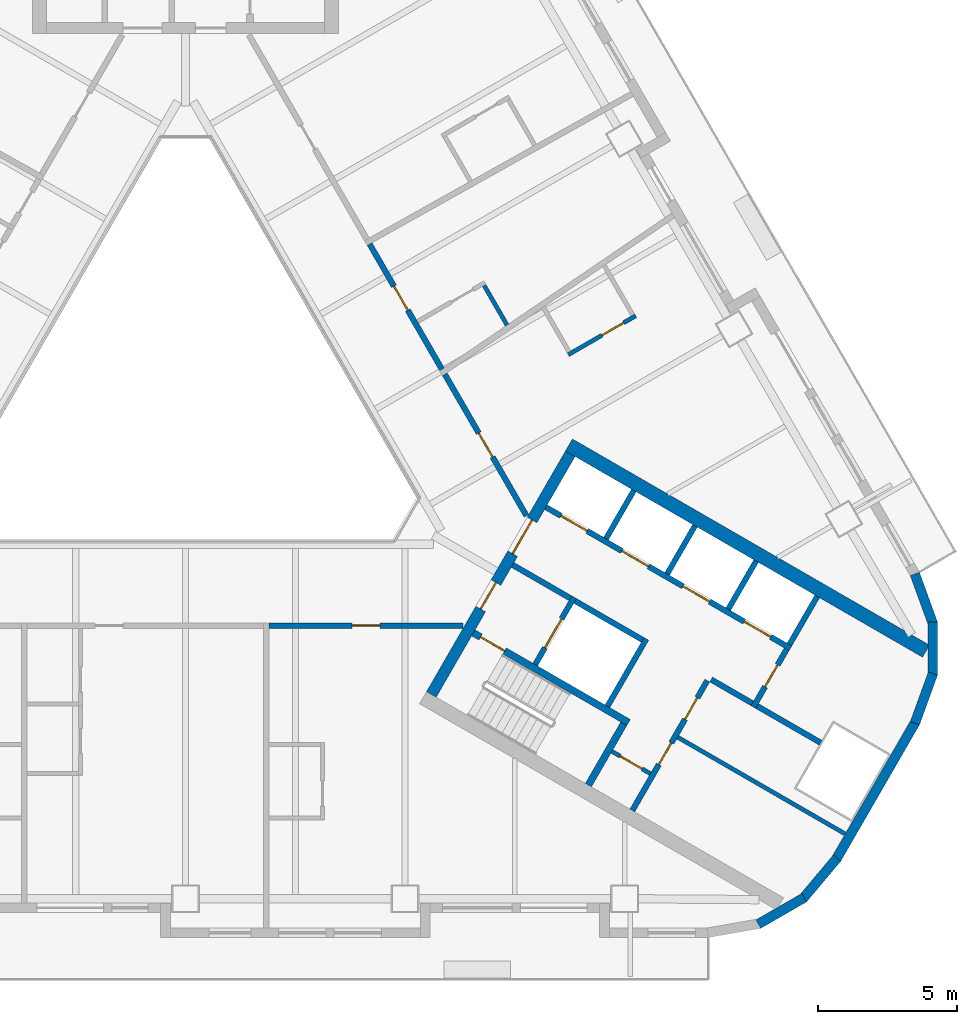
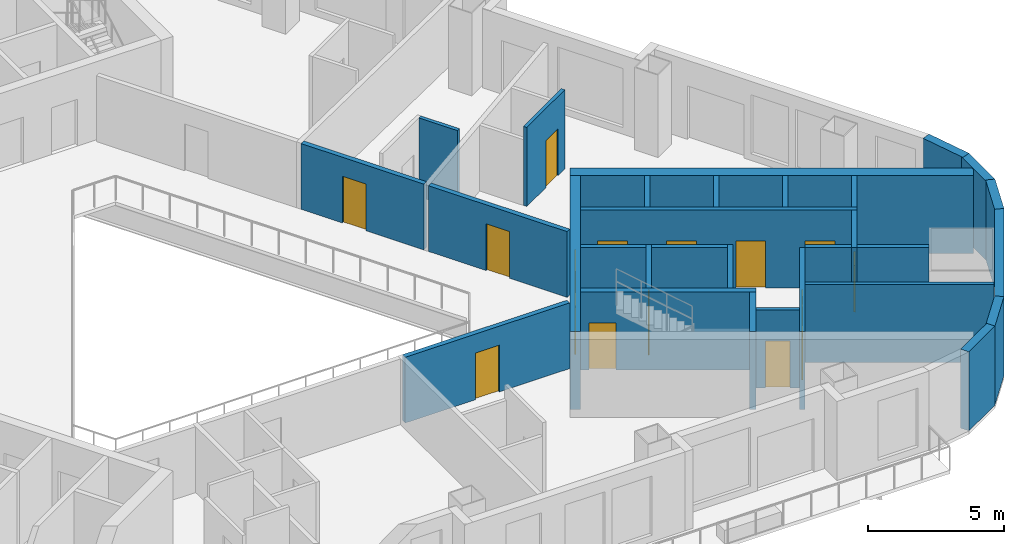
# One storey, part 5 of 13: 30 walls, 16 doors, 16 openings.
"""IFC4 building model written with IfcOpenShell, lengths in metres."""

from ifc_helpers import new_model, si_unit, direction, frame, frame_2d, origin, place, context, subcontext, project, spatial, rectangle, extrude, material, layer, layer_set, type_object, element, fill, save


model = new_model("IFC4")

# Units and contexts
model_context = context("Model", 3, precision=1e-05, world=origin(), true_north=direction((0.0, 1.0)))
body_context = subcontext(model_context, "Body", "Model", "MODEL_VIEW")
ifc_project = project(units=[si_unit("LENGTHUNIT", "METRE"), si_unit("AREAUNIT", "SQUARE_METRE"), si_unit("VOLUMEUNIT", "CUBIC_METRE"), si_unit("PLANEANGLEUNIT", "RADIAN"), si_unit("MASSUNIT", "GRAM", prefix="KILO")], contexts=[model_context])

# Site, building, storey
site_placement = place(None, origin())
site = spatial("IfcSite", under=ifc_project, at=site_placement, CompositionType="ELEMENT")
building_placement = place(site_placement, origin())
building = spatial("IfcBuilding", under=site, at=building_placement, Name="Apuvela Tower Hotel", CompositionType="ELEMENT")
storey_placement = place(building_placement, frame((0.0, 0.0, 57.60009765625)))
storey = spatial("IfcBuildingStorey", under=building, at=storey_placement, Name="L11", CompositionType="ELEMENT", Elevation=57.60009765625)

# Wall, openings, doors
ifc_material_1 = material(Name="Concrete C50/60", Category="concrete")
ifc_layer_1 = layer(ifc_material_1, 0.39990234375)
ifc_layer_set_1 = layer_set([ifc_layer_1], Name="COR-WALL-CORE-400")
wall_type_1 = type_object("IfcWallType", Name="COR-WALL-CORE-400", PredefinedType="SHEAR", material=ifc_layer_set_1)
wall_1_placement = place(storey_placement, frame((8.844970703125, -10.880126953125, 0.0), z_axis=(0.0, 0.0, 1.0), x_axis=(0.500004234368, 0.866022959057, 0.0)))
wall_1 = element("IfcWall", 1, at=wall_1_placement, inside=storey, type_object=wall_type_1, Name="Core wall SE", PredefinedType="SHEAR", context=body_context, shape_type="SweptSolid", body=[
    extrude(rectangle(XDim=10.0, YDim=0.39990234375, at=frame_2d((5.0, 0.0))), origin(), (0.0, 0.0, 1.0), 3.5),
])
opening_1_placement = place(wall_1_placement, frame((3.550048828125, 0.0, 0.0)))
opening_1 = element("IfcOpeningElement", 2, at=opening_1_placement, cuts=wall_1, Name="Opening E-FD", PredefinedType="OPENING", context=body_context, shape_type="SweptSolid", body=[
    extrude(rectangle(XDim=1.10009765625, YDim=2.10009765625, at=frame_2d((0.550048828125, 1.050048828125))), frame((0.0, 0.2099609375, 0.0), z_axis=(0.0, -1.0, 0.0), x_axis=(1.0, 0.0, 0.0)), (0.0, 0.0, 1.0), 0.419921875),
])
opening_2_placement = place(wall_1_placement, frame((5.85009765625, 0.0, 0.0)))
opening_2 = element("IfcOpeningElement", 3, at=opening_2_placement, cuts=wall_1, Name="Opening E-GD", PredefinedType="OPENING", context=body_context, shape_type="SweptSolid", body=[
    extrude(rectangle(XDim=1.39990234375, YDim=2.10009765625, at=frame_2d((0.699951171875, 1.050048828125))), frame((0.0, 0.2099609375, 0.0), z_axis=(0.0, -1.0, 0.0), x_axis=(1.0, 0.0, 0.0)), (0.0, 0.0, 1.0), 0.419921875),
])
ifc_material_2 = material(Name="Steel fire door, powder coated", Category="steel")
door_type_1 = type_object("IfcDoorType", Name="COR-FD-1100", OperationType="NOTDEFINED", PredefinedType="DOOR", material=ifc_material_2)
door_1_placement = place(opening_1_placement, frame((1.10009765625, 0.0, 0.0), z_axis=(0.0, 0.0, 1.0), x_axis=(-1.0, 0.0, 0.0)))
door_1 = element("IfcDoor", 4, at=door_1_placement, inside=storey, type_object=door_type_1, Name="Firefighting lobby door E-FD", OperationType="SINGLE_SWING_LEFT", OverallHeight=2.10009765625, OverallWidth=1.10009765625, PredefinedType="DOOR", context=body_context, shape_type="SweptSolid", body=[
    extrude(rectangle(XDim=1.10009765625, YDim=2.10009765625, at=frame_2d((0.550048828125, 1.050048828125))), frame((0.0, 0.02490234375, 0.0), z_axis=(0.0, -1.0, 0.0), x_axis=(1.0, 0.0, 0.0)), (0.0, 0.0, 1.0), 0.050048828125),
])
fill(opening_1, door_1)
ifc_material_3 = material(Name="Glazed steel fire door", Category="steel")
door_type_2 = type_object("IfcDoorType", Name="COR-GD-1400", OperationType="DOUBLE_DOOR_SINGLE_SWING", PredefinedType="DOOR", material=ifc_material_3)
door_2_placement = place(opening_2_placement, frame((1.39990234375, 0.0, 0.0), z_axis=(0.0, 0.0, 1.0), x_axis=(-1.0, 0.0, 0.0)))
door_2 = element("IfcDoor", 5, at=door_2_placement, inside=storey, type_object=door_type_2, Name="Lift lobby door E-GD", OperationType="DOUBLE_DOOR_SINGLE_SWING", OverallHeight=2.10009765625, OverallWidth=1.39990234375, PredefinedType="DOOR", context=body_context, shape_type="SweptSolid", body=[
    extrude(rectangle(XDim=1.39990234375, YDim=2.10009765625, at=frame_2d((0.699951171875, 1.050048828125))), frame((0.0, 0.02490234375, 0.0), z_axis=(0.0, -1.0, 0.0), x_axis=(1.0, 0.0, 0.0)), (0.0, 0.0, 1.0), 0.050048828125),
])
fill(opening_2, door_2)

# Wall
ifc_layer_2 = layer(ifc_material_1, 0.5)
ifc_layer_set_2 = layer_set([ifc_layer_2], Name="COR-WALL-CORE-500")
wall_type_2 = type_object("IfcWallType", Name="COR-WALL-CORE-500", PredefinedType="SHEAR", material=ifc_layer_set_2)
wall_2_placement = place(storey_placement, frame((13.796630859375, -1.9033203125, 0.0), z_axis=(0.0, 0.0, 1.0), x_axis=(0.866025009528, -0.500000682871, 0.0)))
element("IfcWall", 6, at=wall_2_placement, inside=storey, type_object=wall_type_2, Name="Core wall SE", PredefinedType="SHEAR", context=body_context, shape_type="SweptSolid", body=[
    extrude(rectangle(XDim=14.8369140625, YDim=0.5, at=frame_2d((7.41845703125, 0.0))), origin(), (0.0, 0.0, 1.0), 3.5),
])

# Wall, opening, door
ifc_material_4 = material(Name="Blockwork 150 mm plastered", Category="masonry")
ifc_layer_3 = layer(ifc_material_4, 0.14990234375)
ifc_layer_set_3 = layer_set([ifc_layer_3], Name="COR-WALL-PART-150")
wall_type_3 = type_object("IfcWallType", Name="COR-WALL-PART-150", PredefinedType="PARTITIONING", material=ifc_layer_set_3)
wall_3_placement = place(storey_placement, frame((15.341552734375, -12.927734375, 0.0), z_axis=(0.0, 0.0, 1.0), x_axis=(0.865989903783, -0.500061482766, 0.0)))
wall_3 = element("IfcWall", 7, at=wall_3_placement, inside=storey, type_object=wall_type_3, Name="Partition SE", PredefinedType="PARTITIONING", context=body_context, shape_type="SweptSolid", body=[
    extrude(rectangle(XDim=1.599853515625, YDim=0.14990234375, at=frame_2d((0.7998046875, 0.0))), origin(), (0.0, 0.0, 1.0), 3.5),
])
opening_3_placement = place(wall_3_placement, frame((0.35009765625, 0.0, 0.0)))
opening_3 = element("IfcOpeningElement", 8, at=opening_3_placement, cuts=wall_3, Name="Opening E-RD", PredefinedType="OPENING", context=body_context, shape_type="SweptSolid", body=[
    extrude(rectangle(XDim=0.89990234375, YDim=2.10009765625, at=frame_2d((0.449951171875, 1.050048828125))), frame((0.0, 0.0849609375, 0.0), z_axis=(0.0, -1.0, 0.0), x_axis=(1.0, 0.0, 0.0)), (0.0, 0.0, 1.0), 0.169921875),
])
ifc_material_5 = material(Name="Steel access door, powder coated", Category="steel")
door_type_3 = type_object("IfcDoorType", Name="COR-RD-900", OperationType="NOTDEFINED", PredefinedType="DOOR", material=ifc_material_5)
door_3_placement = place(opening_3_placement, frame((0.89990234375, 0.0, 0.0), z_axis=(0.0, 0.0, 1.0), x_axis=(-1.0, 0.0, 0.0)))
door_3 = element("IfcDoor", 9, at=door_3_placement, inside=storey, type_object=door_type_3, Name="Riser door E-RD", OperationType="SINGLE_SWING_LEFT", OverallHeight=2.10009765625, OverallWidth=0.89990234375, PredefinedType="DOOR", context=body_context, shape_type="SweptSolid", body=[
    extrude(rectangle(XDim=0.89990234375, YDim=2.10009765625, at=frame_2d((0.449951171875, 1.050048828125))), frame((0.0, 0.02490234375, 0.0), z_axis=(0.0, -1.0, 0.0), x_axis=(1.0, 0.0, 0.0)), (0.0, 0.0, 1.0), 0.050048828125),
])
fill(opening_3, door_3)

# Wall
wall_4_placement = place(storey_placement, frame((17.712890625, -12.42041015625, 0.0), z_axis=(0.0, 0.0, 1.0), x_axis=(0.866016523273, -0.500015381182, 0.0)))
element("IfcWall", 10, at=wall_4_placement, inside=storey, type_object=wall_type_3, Name="Partition SE", PredefinedType="PARTITIONING", context=body_context, shape_type="SweptSolid", body=[
    extrude(rectangle(XDim=6.949951171875, YDim=0.14990234375, at=frame_2d((3.47509765625, 0.0))), origin(), (0.0, 0.0, 1.0), 3.5),
])

# Wall, openings, doors
ifc_material_6 = material(Name="Blockwork 200 mm plastered", Category="masonry")
ifc_layer_4 = layer(ifc_material_6, 0.199951171875)
ifc_layer_set_4 = layer_set([ifc_layer_4], Name="COR-WALL-PART-200")
wall_type_4 = type_object("IfcWallType", Name="COR-WALL-PART-200", PredefinedType="PARTITIONING", material=ifc_layer_set_4)
wall_5_placement = place(storey_placement, frame((16.076171875, -15.05517578125, 0.0), z_axis=(0.0, 0.0, 1.0), x_axis=(0.499995103361, 0.866028230842, 0.0)))
wall_5 = element("IfcWall", 11, at=wall_5_placement, inside=storey, type_object=wall_type_4, Name="Partition SE", PredefinedType="PARTITIONING", context=body_context, shape_type="SweptSolid", body=[
    extrude(rectangle(XDim=5.39990234375, YDim=0.199951171875, at=frame_2d((2.699951171875, 0.0))), origin(), (0.0, 0.0, 1.0), 3.5),
])
opening_4_placement = place(wall_5_placement, frame((1.91259765625, 0.0, 0.0)))
opening_4 = element("IfcOpeningElement", 12, at=opening_4_placement, cuts=wall_5, Name="Opening E-RS1", PredefinedType="OPENING", context=body_context, shape_type="SweptSolid", body=[
    extrude(rectangle(XDim=0.89990234375, YDim=2.10009765625, at=frame_2d((0.449951171875, 1.050048828125))), frame((0.0, 0.10986328125, 0.0), z_axis=(0.0, -1.0, 0.0), x_axis=(1.0, 0.0, 0.0)), (0.0, 0.0, 1.0), 0.219970703125),
])
opening_5_placement = place(wall_5_placement, frame((3.78759765625, 0.0, 0.0)))
opening_5 = element("IfcOpeningElement", 13, at=opening_5_placement, cuts=wall_5, Name="Opening E-RS2", PredefinedType="OPENING", context=body_context, shape_type="SweptSolid", body=[
    extrude(rectangle(XDim=0.89990234375, YDim=2.10009765625, at=frame_2d((0.449951171875, 1.050048828125))), frame((0.0, 0.10986328125, 0.0), z_axis=(0.0, -1.0, 0.0), x_axis=(1.0, 0.0, 0.0)), (0.0, 0.0, 1.0), 0.219970703125),
])
door_type_4 = type_object("IfcDoorType", Name="COR-DR-900", OperationType="NOTDEFINED", PredefinedType="DOOR", material=ifc_material_2)
door_4_placement = place(opening_4_placement, frame((0.89990234375, 0.0, 0.0), z_axis=(0.0, 0.0, 1.0), x_axis=(-1.0, 0.0, 0.0)))
door_4 = element("IfcDoor", 14, at=door_4_placement, inside=storey, type_object=door_type_4, Name="Store door E-RS1", OperationType="SINGLE_SWING_LEFT", OverallHeight=2.10009765625, OverallWidth=0.89990234375, PredefinedType="DOOR", context=body_context, shape_type="SweptSolid", body=[
    extrude(rectangle(XDim=0.89990234375, YDim=2.10009765625, at=frame_2d((0.449951171875, 1.050048828125))), frame((0.0, 0.02490234375, 0.0), z_axis=(0.0, -1.0, 0.0), x_axis=(1.0, 0.0, 0.0)), (0.0, 0.0, 1.0), 0.050048828125),
])
fill(opening_4, door_4)
door_5_placement = place(opening_5_placement, frame((0.89990234375, 0.0, 0.0), z_axis=(0.0, 0.0, 1.0), x_axis=(-1.0, 0.0, 0.0)))
door_5 = element("IfcDoor", 15, at=door_5_placement, inside=storey, type_object=door_type_4, Name="Store door E-RS2", OperationType="SINGLE_SWING_LEFT", OverallHeight=2.10009765625, OverallWidth=0.89990234375, PredefinedType="DOOR", context=body_context, shape_type="SweptSolid", body=[
    extrude(rectangle(XDim=0.89990234375, YDim=2.10009765625, at=frame_2d((0.449951171875, 1.050048828125))), frame((0.0, 0.02490234375, 0.0), z_axis=(0.0, -1.0, 0.0), x_axis=(1.0, 0.0, 0.0)), (0.0, 0.0, 1.0), 0.050048828125),
])
fill(opening_5, door_5)

# Wall
ifc_layer_5 = layer(ifc_material_1, 0.199951171875)
ifc_layer_set_5 = layer_set([ifc_layer_5], Name="COR-WALL-SHAFT-200")
wall_type_5 = type_object("IfcWallType", Name="COR-WALL-SHAFT-200", PredefinedType="SHEAR", material=ifc_layer_set_5)
wall_6_placement = place(storey_placement, frame((15.181396484375, -11.305419921875, 0.0), z_axis=(0.0, 0.0, 1.0), x_axis=(0.49994636267, 0.866056369097, 0.0)))
element("IfcWall", 16, at=wall_6_placement, inside=storey, type_object=wall_type_5, Name="Shaft wall SE", PredefinedType="SHEAR", context=body_context, shape_type="SweptSolid", body=[
    extrude(rectangle(XDim=2.800048828125, YDim=0.199951171875, at=frame_2d((1.39990234375, 0.0))), origin(), (0.0, 0.0, 1.0), 3.5),
])

# Wall, opening, door
wall_7_placement = place(storey_placement, frame((12.583251953125, -9.805419921875, 0.0), z_axis=(0.0, 0.0, 1.0), x_axis=(0.49994636267, 0.866056369097, 0.0)))
wall_7 = element("IfcWall", 17, at=wall_7_placement, inside=storey, type_object=wall_type_5, Name="Shaft wall SE", PredefinedType="SHEAR", context=body_context, shape_type="SweptSolid", body=[
    extrude(rectangle(XDim=2.800048828125, YDim=0.199951171875, at=frame_2d((1.39990234375, 0.0))), origin(), (0.0, 0.0, 1.0), 3.5),
])
opening_6_placement = place(wall_7_placement, frame((0.699951171875, 0.0, 0.0)))
opening_6 = element("IfcOpeningElement", 18, at=opening_6_placement, cuts=wall_7, Name="Opening E-LD-FS3", PredefinedType="OPENING", context=body_context, shape_type="SweptSolid", body=[
    extrude(rectangle(XDim=1.199951171875, YDim=2.10009765625, at=frame_2d((0.60009765625, 1.050048828125))), frame((0.0, 0.10986328125, 0.0), z_axis=(0.0, -1.0, 0.0), x_axis=(1.0, 0.0, 0.0)), (0.0, 0.0, 1.0), 0.219970703125),
])
ifc_material_7 = material(Name="Stainless steel lift landing door", Category="steel")
door_type_5 = type_object("IfcDoorType", Name="COR-LD-1200", OperationType="DOUBLE_DOOR_SLIDING", PredefinedType="DOOR", material=ifc_material_7)
door_6_placement = place(opening_6_placement, origin())
door_6 = element("IfcDoor", 19, at=door_6_placement, inside=storey, type_object=door_type_5, Name="Lift landing door E-LD-FS3", OperationType="DOUBLE_DOOR_SLIDING", OverallHeight=2.10009765625, OverallWidth=1.199951171875, PredefinedType="DOOR", context=body_context, shape_type="SweptSolid", body=[
    extrude(rectangle(XDim=1.199951171875, YDim=2.10009765625, at=frame_2d((0.60009765625, 1.050048828125))), frame((0.0, 0.02490234375, 0.0), z_axis=(0.0, -1.0, 0.0), x_axis=(1.0, 0.0, 0.0)), (0.0, 0.0, 1.0), 0.050048828125),
])
fill(opening_6, door_6)

# Walls
wall_8_placement = place(storey_placement, frame((11.76806640625, -6.217041015625, 0.0), z_axis=(0.0, 0.0, 1.0), x_axis=(0.866050077142, -0.499957262057, 0.0)))
element("IfcWall", 20, at=wall_8_placement, inside=storey, type_object=wall_type_5, Name="Shaft wall SE", PredefinedType="SHEAR", context=body_context, shape_type="SweptSolid", body=[
    extrude(rectangle(XDim=2.400146484375, YDim=0.199951171875, at=frame_2d((1.2001953125, 0.0))), origin(), (0.0, 0.0, 1.0), 3.5),
])
wall_9_placement = place(storey_placement, frame((14.019775390625, -7.51708984375, 0.0), z_axis=(0.0, 0.0, 1.0), x_axis=(0.866034573852, -0.49998411664, 0.0)))
element("IfcWall", 21, at=wall_9_placement, inside=storey, type_object=wall_type_5, Name="Shaft wall SE", PredefinedType="SHEAR", context=body_context, shape_type="SweptSolid", body=[
    extrude(rectangle(XDim=2.7998046875, YDim=0.199951171875, at=frame_2d((1.39990234375, 0.0))), origin(), (0.0, 0.0, 1.0), 3.5),
])

# Wall, openings, doors
wall_10_placement = place(storey_placement, frame((12.968017578125, -4.138427734375, 0.0), z_axis=(0.0, 0.0, 1.0), x_axis=(0.866028328073, -0.49999493495, 0.0)))
wall_10 = element("IfcWall", 22, at=wall_10_placement, inside=storey, type_object=wall_type_5, Name="Shaft wall SE", PredefinedType="SHEAR", context=body_context, shape_type="SweptSolid", body=[
    extrude(rectangle(XDim=10.16015625, YDim=0.199951171875, at=frame_2d((5.080078125, 0.0))), origin(), (0.0, 0.0, 1.0), 3.5),
])
opening_7_placement = place(wall_10_placement, frame((0.6201171875, 0.0, 0.0)))
opening_7 = element("IfcOpeningElement", 23, at=opening_7_placement, cuts=wall_10, Name="Opening E-LD-LR1", PredefinedType="OPENING", context=body_context, shape_type="SweptSolid", body=[
    extrude(rectangle(XDim=1.10009765625, YDim=2.10009765625, at=frame_2d((0.550048828125, 1.050048828125))), frame((0.0, 0.10986328125, 0.0), z_axis=(0.0, -1.0, 0.0), x_axis=(1.0, 0.0, 0.0)), (0.0, 0.0, 1.0), 0.219970703125),
])
opening_8_placement = place(wall_10_placement, frame((3.159912109375, 0.0, 0.0)))
opening_8 = element("IfcOpeningElement", 24, at=opening_8_placement, cuts=wall_10, Name="Opening E-LD-LR2", PredefinedType="OPENING", context=body_context, shape_type="SweptSolid", body=[
    extrude(rectangle(XDim=1.10009765625, YDim=2.10009765625, at=frame_2d((0.550048828125, 1.050048828125))), frame((0.0, 0.10986328125, 0.0), z_axis=(0.0, -1.0, 0.0), x_axis=(1.0, 0.0, 0.0)), (0.0, 0.0, 1.0), 0.219970703125),
])
opening_9_placement = place(wall_10_placement, frame((5.699951171875, 0.0, 0.0)))
opening_9 = element("IfcOpeningElement", 25, at=opening_9_placement, cuts=wall_10, Name="Opening E-LD-LR3", PredefinedType="OPENING", context=body_context, shape_type="SweptSolid", body=[
    extrude(rectangle(XDim=1.10009765625, YDim=2.10009765625, at=frame_2d((0.550048828125, 1.050048828125))), frame((0.0, 0.10986328125, 0.0), z_axis=(0.0, -1.0, 0.0), x_axis=(1.0, 0.0, 0.0)), (0.0, 0.0, 1.0), 0.219970703125),
])
opening_10_placement = place(wall_10_placement, frame((8.239990234375, 0.0, 0.0)))
opening_10 = element("IfcOpeningElement", 26, at=opening_10_placement, cuts=wall_10, Name="Opening E-LD-LR4", PredefinedType="OPENING", context=body_context, shape_type="SweptSolid", body=[
    extrude(rectangle(XDim=1.10009765625, YDim=2.10009765625, at=frame_2d((0.550048828125, 1.050048828125))), frame((0.0, 0.10986328125, 0.0), z_axis=(0.0, -1.0, 0.0), x_axis=(1.0, 0.0, 0.0)), (0.0, 0.0, 1.0), 0.219970703125),
])
door_type_6 = type_object("IfcDoorType", Name="COR-LD-1100", OperationType="DOUBLE_DOOR_SLIDING", PredefinedType="DOOR", material=ifc_material_7)
door_7_placement = place(opening_7_placement, origin())
door_7 = element("IfcDoor", 27, at=door_7_placement, inside=storey, type_object=door_type_6, Name="Lift landing door E-LD-LR1", OperationType="DOUBLE_DOOR_SLIDING", OverallHeight=2.10009765625, OverallWidth=1.10009765625, PredefinedType="DOOR", context=body_context, shape_type="SweptSolid", body=[
    extrude(rectangle(XDim=1.10009765625, YDim=2.10009765625, at=frame_2d((0.550048828125, 1.050048828125))), frame((0.0, 0.02490234375, 0.0), z_axis=(0.0, -1.0, 0.0), x_axis=(1.0, 0.0, 0.0)), (0.0, 0.0, 1.0), 0.050048828125),
])
fill(opening_7, door_7)
door_8_placement = place(opening_8_placement, origin())
door_8 = element("IfcDoor", 28, at=door_8_placement, inside=storey, type_object=door_type_6, Name="Lift landing door E-LD-LR2", OperationType="DOUBLE_DOOR_SLIDING", OverallHeight=2.10009765625, OverallWidth=1.10009765625, PredefinedType="DOOR", context=body_context, shape_type="SweptSolid", body=[
    extrude(rectangle(XDim=1.10009765625, YDim=2.10009765625, at=frame_2d((0.550048828125, 1.050048828125))), frame((0.0, 0.02490234375, 0.0), z_axis=(0.0, -1.0, 0.0), x_axis=(1.0, 0.0, 0.0)), (0.0, 0.0, 1.0), 0.050048828125),
])
fill(opening_8, door_8)
door_9_placement = place(opening_9_placement, origin())
door_9 = element("IfcDoor", 29, at=door_9_placement, inside=storey, type_object=door_type_6, Name="Lift landing door E-LD-LR3", OperationType="DOUBLE_DOOR_SLIDING", OverallHeight=2.10009765625, OverallWidth=1.10009765625, PredefinedType="DOOR", context=body_context, shape_type="SweptSolid", body=[
    extrude(rectangle(XDim=1.10009765625, YDim=2.10009765625, at=frame_2d((0.550048828125, 1.050048828125))), frame((0.0, 0.02490234375, 0.0), z_axis=(0.0, -1.0, 0.0), x_axis=(1.0, 0.0, 0.0)), (0.0, 0.0, 1.0), 0.050048828125),
])
fill(opening_9, door_9)
door_10_placement = place(opening_10_placement, origin())
door_10 = element("IfcDoor", 30, at=door_10_placement, inside=storey, type_object=door_type_6, Name="Lift landing door E-LD-LR4", OperationType="DOUBLE_DOOR_SLIDING", OverallHeight=2.10009765625, OverallWidth=1.10009765625, PredefinedType="DOOR", context=body_context, shape_type="SweptSolid", body=[
    extrude(rectangle(XDim=1.10009765625, YDim=2.10009765625, at=frame_2d((0.550048828125, 1.050048828125))), frame((0.0, 0.02490234375, 0.0), z_axis=(0.0, -1.0, 0.0), x_axis=(1.0, 0.0, 0.0)), (0.0, 0.0, 1.0), 0.050048828125),
])
fill(opening_10, door_10)

# Wall, opening, door
wall_11_placement = place(storey_placement, frame((20.430419921875, -11.33349609375, 0.0), z_axis=(0.0, 0.0, 1.0), x_axis=(0.500001309137, 0.866024647952, 0.0)))
wall_11 = element("IfcWall", 31, at=wall_11_placement, inside=storey, type_object=wall_type_5, Name="Shaft wall SE", PredefinedType="SHEAR", context=body_context, shape_type="SweptSolid", body=[
    extrude(rectangle(XDim=2.39990234375, YDim=0.199951171875, at=frame_2d((1.199951171875, 0.0))), origin(), (0.0, 0.0, 1.0), 3.5),
])
opening_11_placement = place(wall_11_placement, frame((0.85009765625, 0.0, 0.0)))
opening_11 = element("IfcOpeningElement", 32, at=opening_11_placement, cuts=wall_11, Name="Opening E-REP", PredefinedType="OPENING", context=body_context, shape_type="SweptSolid", body=[
    extrude(rectangle(XDim=0.89990234375, YDim=2.10009765625, at=frame_2d((0.449951171875, 1.050048828125))), frame((0.0, 0.10986328125, 0.0), z_axis=(0.0, -1.0, 0.0), x_axis=(1.0, 0.0, 0.0)), (0.0, 0.0, 1.0), 0.219970703125),
])
door_11_placement = place(opening_11_placement, frame((0.89990234375, 0.0, 0.0), z_axis=(0.0, 0.0, 1.0), x_axis=(-1.0, 0.0, 0.0)))
door_11 = element("IfcDoor", 33, at=door_11_placement, inside=storey, type_object=door_type_4, Name="Store door E-REP", OperationType="SINGLE_SWING_RIGHT", OverallHeight=2.10009765625, OverallWidth=0.89990234375, PredefinedType="DOOR", context=body_context, shape_type="SweptSolid", body=[
    extrude(rectangle(XDim=0.89990234375, YDim=2.10009765625, at=frame_2d((0.449951171875, 1.050048828125))), frame((0.0, 0.02490234375, 0.0), z_axis=(0.0, -1.0, 0.0), x_axis=(1.0, 0.0, 0.0)), (0.0, 0.0, 1.0), 0.050048828125),
])
fill(opening_11, door_11)

# Walls
wall_12_placement = place(storey_placement, frame((18.912841796875, -10.342041015625, 0.0), z_axis=(0.0, 0.0, 1.0), x_axis=(0.866038183914, -0.499977863513, 0.0)))
element("IfcWall", 34, at=wall_12_placement, inside=storey, type_object=wall_type_5, Name="Shaft wall SE", PredefinedType="SHEAR", context=body_context, shape_type="SweptSolid", body=[
    extrude(rectangle(XDim=1.7099609375, YDim=0.199951171875, at=frame_2d((0.85498046875, 0.0))), origin(), (0.0, 0.0, 1.0), 3.5),
])
for number, where, z_axis, x_axis, name in (
    (35, (15.131103515625, -5.27197265625, 0.0), (0.0, 0.0, 1.0), (0.499972520799, 0.866041268327, 0.0), "Shaft wall SE"),
    (36, (17.330810546875, -6.5419921875, 0.0), (0.0, 0.0, 1.0), (0.499972520799, 0.866041268327, 0.0), "Shaft wall SE"),
    (37, (19.530517578125, -7.81201171875, 0.0), (0.0, 0.0, 1.0), (0.499972520799, 0.866041268327, 0.0), "Shaft wall SE"),
    (38, (21.73046875, -9.081787109375, 0.0), (0.0, 0.0, 1.0), (0.50002537861, 0.866010750942, 0.0), "Shaft wall SE"),
):
    element("IfcWall", number, at=place(storey_placement, frame(where, z_axis=z_axis, x_axis=x_axis)), inside=storey, type_object=wall_type_5, Name=name, PredefinedType="SHEAR", context=body_context, shape_type="SweptSolid", body=[
        extrude(rectangle(XDim=2.0, YDim=0.199951171875, at=frame_2d((1.0, 0.0))), origin(), (0.0, 0.0, 1.0), 3.5),
    ])
wall_13_placement = place(storey_placement, frame((20.56689453125, -11.297119140625, 0.0), z_axis=(0.0, 0.0, 1.0), x_axis=(0.866060851709, -0.499938597367, 0.0)))
element("IfcWall", 39, at=wall_13_placement, inside=storey, type_object=wall_type_5, Name="Shaft wall SE", PredefinedType="SHEAR", context=body_context, shape_type="SweptSolid", body=[
    extrude(rectangle(XDim=2.639892578125, YDim=0.199951171875, at=frame_2d((1.31982421875, 0.0))), origin(), (0.0, 0.0, 1.0), 3.5),
])

# Wall, opening, door
ifc_layer_6 = layer(ifc_material_1, 0.25)
ifc_layer_set_6 = layer_set([ifc_layer_6], Name="COR-WALL-STAIR-250")
wall_type_6 = type_object("IfcWallType", Name="COR-WALL-STAIR-250", PredefinedType="SHEAR", material=ifc_layer_set_6)
wall_14_placement = place(storey_placement, frame((10.355712890625, -8.66357421875, 0.0), z_axis=(0.0, 0.0, 1.0), x_axis=(0.866028629588, -0.499994412703, 0.0)))
wall_14 = element("IfcWall", 40, at=wall_14_placement, inside=storey, type_object=wall_type_6, Name="Stair wall SE", PredefinedType="SHEAR", context=body_context, shape_type="SweptSolid", body=[
    extrude(rectangle(XDim=6.44970703125, YDim=0.25, at=frame_2d((3.224853515625, 0.0))), origin(), (0.0, 0.0, 1.0), 3.5),
])
opening_12_placement = place(wall_14_placement, frame((0.300048828125, 0.0, 0.0)))
opening_12 = element("IfcOpeningElement", 41, at=opening_12_placement, cuts=wall_14, Name="Opening E-SD", PredefinedType="OPENING", context=body_context, shape_type="SweptSolid", body=[
    extrude(rectangle(XDim=1.0, YDim=2.10009765625, at=frame_2d((0.5, 1.050048828125))), frame((0.0, 0.135009765625, 0.0), z_axis=(0.0, -1.0, 0.0), x_axis=(1.0, 0.0, 0.0)), (0.0, 0.0, 1.0), 0.27001953125),
])
door_type_7 = type_object("IfcDoorType", Name="COR-SD-1000", OperationType="NOTDEFINED", PredefinedType="DOOR", material=ifc_material_2)
door_12_placement = place(opening_12_placement, frame((1.0, 0.0, 0.0), z_axis=(0.0, 0.0, 1.0), x_axis=(-1.0, 0.0, 0.0)))
door_12 = element("IfcDoor", 42, at=door_12_placement, inside=storey, type_object=door_type_7, Name="Stair door E-SD", OperationType="SINGLE_SWING_LEFT", OverallHeight=2.10009765625, OverallWidth=1.0, PredefinedType="DOOR", context=body_context, shape_type="SweptSolid", body=[
    extrude(rectangle(XDim=1.0, YDim=2.10009765625, at=frame_2d((0.5, 1.050048828125))), frame((0.0, 0.02490234375, 0.0), z_axis=(0.0, -1.0, 0.0), x_axis=(1.0, 0.0, 0.0)), (0.0, 0.0, 1.0), 0.050048828125),
])
fill(opening_12, door_12)

# Walls
wall_15_placement = place(storey_placement, frame((14.49560546875, -14.142578125, 0.0), z_axis=(0.0, 0.0, 1.0), x_axis=(0.500062241894, 0.865989465428, 0.0)))
element("IfcWall", 43, at=wall_15_placement, inside=storey, type_object=wall_type_6, Name="Stair wall SE", PredefinedType="SHEAR", context=body_context, shape_type="SweptSolid", body=[
    extrude(rectangle(XDim=2.550048828125, YDim=0.25, at=frame_2d((1.27490234375, 0.0))), origin(), (0.0, 0.0, 1.0), 3.5),
])
ifc_material_8 = material(Name="Concrete C40/50, dark pigmented precast panel", Category="concrete")
ifc_layer_7 = layer(ifc_material_8, 0.35009765625)
ifc_layer_set_7 = layer_set([ifc_layer_7], Name="ENV-WALL-350")
wall_type_7 = type_object("IfcWallType", Name="ENV-WALL-350", PredefinedType="SOLIDWALL", material=ifc_layer_set_7)
for number, where, z_axis, x_axis, name in (
    (44, (20.609619140625, -19.146728515625, 0.0), (0.0, 0.0, 1.0), (0.866000389056, 0.500043324278, 0.0), "External wall L11-27"),
    (45, (22.21728515625, -18.230712890625, 0.0), (0.0, 0.0, 1.0), (0.642733291068, 0.76609001857, 0.0), "External wall L11-28"),
):
    element("IfcWall", number, at=place(storey_placement, frame(where, z_axis=z_axis, x_axis=x_axis)), inside=storey, type_object=wall_type_7, Name=name, PredefinedType="SOLIDWALL", context=body_context, shape_type="SweptSolid", body=[
        extrude(rectangle(XDim=1.909912109375, YDim=0.35009765625, at=frame_2d((0.955078125, 0.0))), origin(), (0.0, 0.0, 1.0), 3.5498046875),
    ])
wall_16_placement = place(storey_placement, frame((23.427490234375, -16.79248046875, 0.0), z_axis=(0.0, 0.0, 1.0), x_axis=(0.500018773155, 0.866014564827, 0.0)))
element("IfcWall", 46, at=wall_16_placement, inside=storey, type_object=wall_type_7, Name="External wall L11-29", PredefinedType="SOLIDWALL", context=body_context, shape_type="SweptSolid", body=[
    extrude(rectangle(XDim=5.657958984375, YDim=0.35009765625, at=frame_2d((2.8291015625, 0.0))), origin(), (0.0, 0.0, 1.0), 3.5498046875),
])
for number, where, z_axis, x_axis, name in (
    (47, (26.24365234375, -11.920166015625, 0.0), (0.0, 0.0, 1.0), (0.342030395486, 0.939688889242, 0.0), "External wall L11-30"),
    (48, (26.88623046875, -10.18505859375, 0.0), (0.0, 0.0, 1.0), (0.0, 1.0, 0.0), "External wall L11-31"),
    (49, (26.89697265625, -8.334716796875, 0.0), (0.0, 0.0, 1.0), (-0.342030395486, 0.939688889242, 0.0), "External wall L11-32"),
):
    element("IfcWall", number, at=place(storey_placement, frame(where, z_axis=z_axis, x_axis=x_axis)), inside=storey, type_object=wall_type_7, Name=name, PredefinedType="SOLIDWALL", context=body_context, shape_type="SweptSolid", body=[
        extrude(rectangle(XDim=1.91015625, YDim=0.35009765625, at=frame_2d((0.955078125, 0.0))), origin(), (0.0, 0.0, 1.0), 3.5498046875),
    ])

# Wall, opening, door
ifc_material_9 = material(Name="Gypsum board corridor wall on twin steel stud, acoustic", Category="steel")
ifc_layer_8 = layer(ifc_material_9, 0.199951171875)
ifc_layer_set_8 = layer_set([ifc_layer_8], Name="GST-PW2")
wall_type_8 = type_object("IfcWallType", Name="GST-PW2", PredefinedType="PARTITIONING", material=ifc_layer_set_8)
wall_17_placement = place(storey_placement, frame((9.98828125, -8.39990234375, 0.0), z_axis=(0.0, 0.0, 1.0), x_axis=(-1.0, 0.0, 0.0)))
wall_17 = element("IfcWall", 50, at=wall_17_placement, inside=storey, type_object=wall_type_8, Name="L11 partition 17", PredefinedType="PARTITIONING", context=body_context, shape_type="SweptSolid", body=[
    extrude(rectangle(XDim=6.98828125, YDim=0.199951171875, at=frame_2d((3.494140625, 0.0))), origin(), (0.0, 0.0, 1.0), 2.949951171875),
])
opening_13_placement = place(wall_17_placement, frame((2.994140625, 0.0, 0.0)))
opening_13 = element("IfcOpeningElement", 51, at=opening_13_placement, cuts=wall_17, Name="Opening GD02-07", PredefinedType="OPENING", context=body_context, shape_type="SweptSolid", body=[
    extrude(rectangle(XDim=1.0, YDim=2.10009765625, at=frame_2d((0.5, 1.050048828125))), frame((0.0, 0.10986328125, 0.0), z_axis=(0.0, -1.0, 0.0), x_axis=(1.0, 0.0, 0.0)), (0.0, 0.0, 1.0), 0.219970703125),
])
ifc_material_10 = material(Name="Timber door leaf in steel frame", Category="steel")
door_type_8 = type_object("IfcDoorType", Name="GST-D1", OperationType="NOTDEFINED", PredefinedType="DOOR", material=ifc_material_10)
door_13_placement = place(opening_13_placement, origin())
door_13 = element("IfcDoor", 52, at=door_13_placement, inside=storey, type_object=door_type_8, Name="Door L11-07", OperationType="SINGLE_SWING_RIGHT", OverallHeight=2.10009765625, OverallWidth=1.0, PredefinedType="DOOR", context=body_context, shape_type="SweptSolid", body=[
    extrude(rectangle(XDim=1.0, YDim=2.10009765625, at=frame_2d((0.5, 1.050048828125))), frame((0.0, 0.02490234375, 0.0), z_axis=(0.0, -1.0, 0.0), x_axis=(1.0, 0.0, 0.0)), (0.0, 0.0, 1.0), 0.050048828125),
])
fill(opening_13, door_13)

wall_18_placement = place(storey_placement, frame((9.32861328125, 0.642578125, 0.0), z_axis=(0.0, 0.0, 1.0), x_axis=(0.500001579811, -0.866024491678, 0.0)))
wall_18 = element("IfcWall", 53, at=wall_18_placement, inside=storey, type_object=wall_type_8, Name="L11 partition 21", PredefinedType="PARTITIONING", context=body_context, shape_type="SweptSolid", body=[
    extrude(rectangle(XDim=5.88037109375, YDim=0.199951171875, at=frame_2d((2.940185546875, 0.0))), origin(), (0.0, 0.0, 1.0), 2.949951171875),
])
opening_14_placement = place(wall_18_placement, frame((2.440185546875, 0.0, 0.0)))
opening_14 = element("IfcOpeningElement", 54, at=opening_14_placement, cuts=wall_18, Name="Opening GD02-09", PredefinedType="OPENING", context=body_context, shape_type="SweptSolid", body=[
    extrude(rectangle(XDim=1.0, YDim=2.10009765625, at=frame_2d((0.5, 1.050048828125))), frame((0.0, 0.10986328125, 0.0), z_axis=(0.0, -1.0, 0.0), x_axis=(1.0, 0.0, 0.0)), (0.0, 0.0, 1.0), 0.219970703125),
])
door_14_placement = place(opening_14_placement, origin())
door_14 = element("IfcDoor", 55, at=door_14_placement, inside=storey, type_object=door_type_8, Name="Door L11-09", OperationType="SINGLE_SWING_LEFT", OverallHeight=2.10009765625, OverallWidth=1.0, PredefinedType="DOOR", context=body_context, shape_type="SweptSolid", body=[
    extrude(rectangle(XDim=1.0, YDim=2.10009765625, at=frame_2d((0.5, 1.050048828125))), frame((0.0, 0.02490234375, 0.0), z_axis=(0.0, -1.0, 0.0), x_axis=(1.0, 0.0, 0.0)), (0.0, 0.0, 1.0), 0.050048828125),
])
fill(opening_14, door_14)

wall_19_placement = place(storey_placement, frame((6.6240234375, 5.326904296875, 0.0), z_axis=(0.0, 0.0, 1.0), x_axis=(0.500015953014, -0.866016193112, 0.0)))
wall_19 = element("IfcWall", 56, at=wall_19_placement, inside=storey, type_object=wall_type_8, Name="L11 partition 25", PredefinedType="PARTITIONING", context=body_context, shape_type="SweptSolid", body=[
    extrude(rectangle(XDim=5.208251953125, YDim=0.199951171875, at=frame_2d((2.60400390625, 0.0))), origin(), (0.0, 0.0, 1.0), 2.949951171875),
])
opening_15_placement = place(wall_19_placement, frame((1.7509765625, 0.0, 0.0)))
opening_15 = element("IfcOpeningElement", 57, at=opening_15_placement, cuts=wall_19, Name="Opening GD02-11", PredefinedType="OPENING", context=body_context, shape_type="SweptSolid", body=[
    extrude(rectangle(XDim=1.0, YDim=2.10009765625, at=frame_2d((0.5, 1.050048828125))), frame((0.0, 0.10986328125, 0.0), z_axis=(0.0, -1.0, 0.0), x_axis=(1.0, 0.0, 0.0)), (0.0, 0.0, 1.0), 0.219970703125),
])
door_15_placement = place(opening_15_placement, origin())
door_15 = element("IfcDoor", 58, at=door_15_placement, inside=storey, type_object=door_type_8, Name="Door L11-11", OperationType="SINGLE_SWING_LEFT", OverallHeight=2.10009765625, OverallWidth=1.0, PredefinedType="DOOR", context=body_context, shape_type="SweptSolid", body=[
    extrude(rectangle(XDim=1.0, YDim=2.10009765625, at=frame_2d((0.5, 1.050048828125))), frame((0.0, 0.02490234375, 0.0), z_axis=(0.0, -1.0, 0.0), x_axis=(1.0, 0.0, 0.0)), (0.0, 0.0, 1.0), 0.050048828125),
])
fill(opening_15, door_15)

ifc_material_11 = material(Name="Moisture-resistant gypsum board wet wall on steel stud", Category="steel")
ifc_layer_9 = layer(ifc_material_11, 0.14990234375)
ifc_layer_set_9 = layer_set([ifc_layer_9], Name="GST-PW3")
wall_type_9 = type_object("IfcWallType", Name="GST-PW3", PredefinedType="PARTITIONING", material=ifc_layer_set_9)
wall_20_placement = place(storey_placement, frame((13.7724609375, 1.345458984375, 0.0), z_axis=(0.0, 0.0, 1.0), x_axis=(0.865996816683, 0.500049511043, 0.0)))
wall_20 = element("IfcWall", 59, at=wall_20_placement, inside=storey, type_object=wall_type_9, Name="L11 partition 22", PredefinedType="PARTITIONING", context=body_context, shape_type="SweptSolid", body=[
    extrude(rectangle(XDim=2.800048828125, YDim=0.14990234375, at=frame_2d((1.39990234375, 0.0))), origin(), (0.0, 0.0, 1.0), 3.5498046875),
])
opening_16_placement = place(wall_20_placement, frame((1.39990234375, 0.0, 0.0)))
opening_16 = element("IfcOpeningElement", 60, at=opening_16_placement, cuts=wall_20, Name="Opening GD02-08", PredefinedType="OPENING", context=body_context, shape_type="SweptSolid", body=[
    extrude(rectangle(XDim=0.89990234375, YDim=2.10009765625, at=frame_2d((0.449951171875, 1.050048828125))), frame((0.0, 0.0849609375, 0.0), z_axis=(0.0, -1.0, 0.0), x_axis=(1.0, 0.0, 0.0)), (0.0, 0.0, 1.0), 0.169921875),
])
door_type_9 = type_object("IfcDoorType", Name="GST-D2", OperationType="NOTDEFINED", PredefinedType="DOOR", material=ifc_material_10)
door_16_placement = place(opening_16_placement, origin())
door_16 = element("IfcDoor", 61, at=door_16_placement, inside=storey, type_object=door_type_9, Name="Door L11-08", OperationType="SINGLE_SWING_RIGHT", OverallHeight=2.10009765625, OverallWidth=0.89990234375, PredefinedType="DOOR", context=body_context, shape_type="SweptSolid", body=[
    extrude(rectangle(XDim=0.89990234375, YDim=2.10009765625, at=frame_2d((0.449951171875, 1.050048828125))), frame((0.0, 0.02490234375, 0.0), z_axis=(0.0, -1.0, 0.0), x_axis=(1.0, 0.0, 0.0)), (0.0, 0.0, 1.0), 0.050048828125),
])
fill(opening_16, door_16)

# Wall
wall_21_placement = place(storey_placement, frame((11.56982421875, 2.410400390625, 0.0), z_axis=(0.0, 0.0, 1.0), x_axis=(-0.499931951619, 0.866064687971, 0.0)))
element("IfcWall", 62, at=wall_21_placement, inside=storey, type_object=wall_type_9, Name="L11 partition 27", PredefinedType="PARTITIONING", context=body_context, shape_type="SweptSolid", body=[
    extrude(rectangle(XDim=1.647705078125, YDim=0.14990234375, at=frame_2d((0.82373046875, 0.0))), origin(), (0.0, 0.0, 1.0), 3.5498046875),
])

save(model, "model.ifc")
